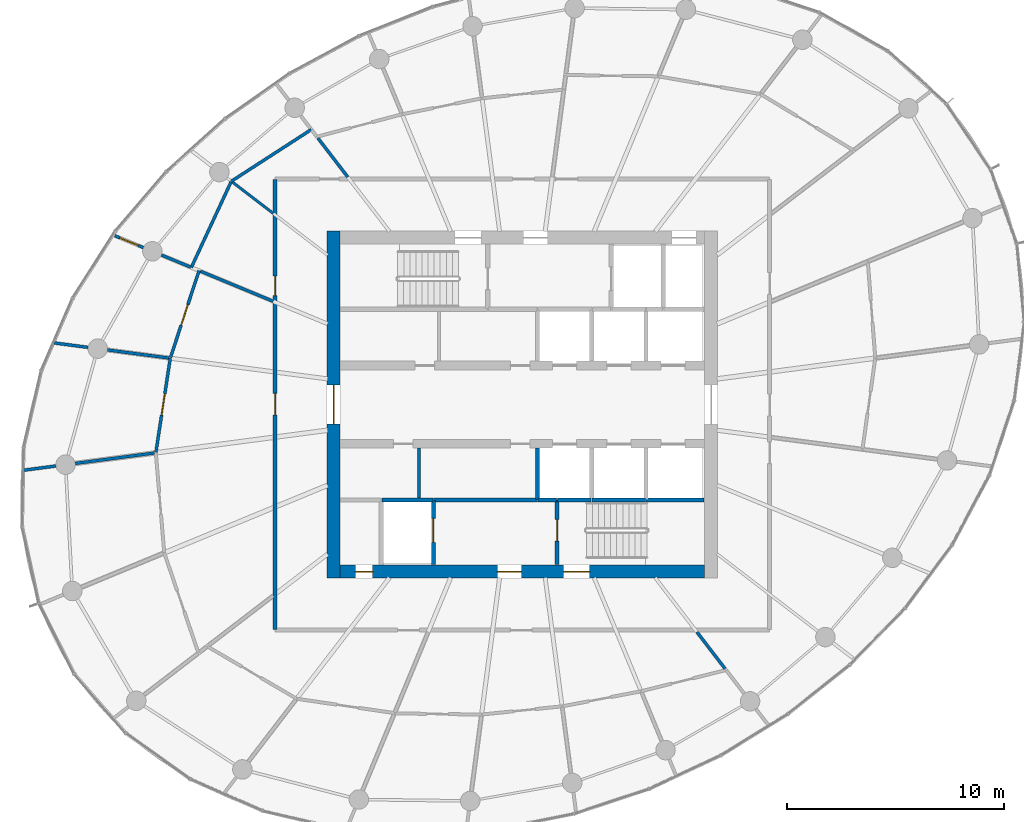
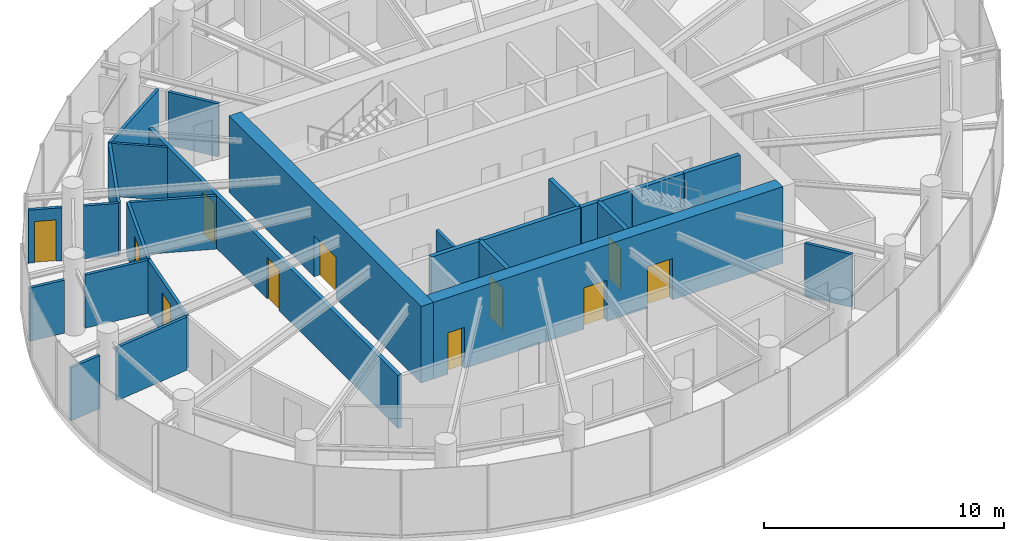
# One storey, part 9 of 14: 27 walls, 11 doors, 11 openings.
"""IFC4 building model written with IfcOpenShell, lengths in metres."""

from ifc_helpers import new_model, si_unit, direction, frame, frame_2d, origin, place, context, subcontext, project, spatial, rectangle, extrude, source, transform, mapped, material, layer, layer_set, type_object, element, fill, save


model = new_model("IFC4")

# Units and contexts
model_context = context("Model", 3, precision=1e-05, world=origin(), true_north=direction((0.0, 1.0)))
body_context = subcontext(model_context, "Body", "Model", "MODEL_VIEW")
ifc_project = project(units=[si_unit("LENGTHUNIT", "METRE"), si_unit("AREAUNIT", "SQUARE_METRE"), si_unit("VOLUMEUNIT", "CUBIC_METRE"), si_unit("PLANEANGLEUNIT", "RADIAN"), si_unit("MASSUNIT", "GRAM", prefix="KILO")], contexts=[model_context])

# Site, building, storey
site_placement = place(None, origin())
site = spatial("IfcSite", under=ifc_project, at=site_placement, CompositionType="ELEMENT")
building_placement = place(site_placement, origin())
building = spatial("IfcBuilding", under=site, at=building_placement, Name="Spindrift Exchange Tower", CompositionType="ELEMENT")
storey_placement = place(building_placement, frame((0.0, 0.0, 226.699951171875)))
storey = spatial("IfcBuildingStorey", under=building, at=storey_placement, Name="L55", CompositionType="ELEMENT", Elevation=226.699951171875)

# Wall, opening, door
ifc_material_1 = material(Name="Concrete 50 MPa", Category="concrete")
ifc_layer_1 = layer(ifc_material_1, 0.60009765625)
ifc_layer_set_1 = layer_set([ifc_layer_1], Name="RC Core Wall 600 Concrete 50 MPa")
wall_type_1 = type_object("IfcWallType", Name="RC Core Wall 600 Concrete 50 MPa", PredefinedType="SHEAR", material=ifc_layer_set_1)
wall_1_placement = place(storey_placement, frame((43.300048828125, 56.0, 0.0), z_axis=(0.0, 0.0, 1.0), x_axis=(0.0, -1.0, 0.0)))
wall_1 = element("IfcWall", 1, at=wall_1_placement, inside=storey, type_object=wall_type_1, Name="Core wall W L55", PredefinedType="SHEAR", context=body_context, shape_type="SweptSolid", body=[
    extrude(rectangle(XDim=16.0, YDim=0.60009765625, at=frame_2d((8.0, 0.0))), origin(), (0.0, 0.0, 1.0), 3.900146484375),
])
opening_1_placement = place(wall_1_placement, frame((7.10009765625, 0.0, 0.0)))
opening_1 = element("IfcOpeningElement", 2, at=opening_1_placement, cuts=wall_1, Name="Opening L55-D1", PredefinedType="OPENING", context=body_context, shape_type="SweptSolid", body=[
    extrude(rectangle(XDim=1.800048828125, YDim=2.10009765625, at=frame_2d((0.89990234375, 1.050048828125))), frame((0.0, 0.31005859375, 0.0), z_axis=(0.0, -1.0, 0.0), x_axis=(1.0, 0.0, 0.0)), (0.0, 0.0, 1.0), 0.6201171875),
])
ifc_material_2 = material(Name="Timber-core fire door", Category="wood")
door_type_1 = type_object("IfcDoorType", Name="DR-LOBBY-1800", OperationType="NOTDEFINED", PredefinedType="DOOR", material=ifc_material_2)
shared_shape_1 = source(origin(), body_context, "Body", "SweptSolid", [
    extrude(rectangle(XDim=1.800048828125, YDim=2.10009765625, at=frame_2d((0.89990234375, 1.050048828125))), frame((0.0, 0.02490234375, 0.0), z_axis=(0.0, -1.0, 0.0), x_axis=(1.0, 0.0, 0.0)), (0.0, 0.0, 1.0), 0.050048828125),
])
door_1_placement = place(opening_1_placement, origin())
door_1 = element("IfcDoor", 3, at=door_1_placement, inside=storey, type_object=door_type_1, Name="L55 Lobby door 1", OperationType="SINGLE_SWING_RIGHT", OverallHeight=2.10009765625, OverallWidth=1.800048828125, PredefinedType="DOOR", context=body_context, shape_type="MappedRepresentation", body=[
    mapped(shared_shape_1, transform((0.0, 0.0, 0.0), scale=1.0)),
])
fill(opening_1, door_1)

# Wall, openings, doors
wall_2_placement = place(storey_placement, frame((43.60009765625, 40.300048828125, 0.0), z_axis=(0.0, 0.0, 1.0), x_axis=(1.0, 0.0, 0.0)))
wall_2 = element("IfcWall", 4, at=wall_2_placement, inside=storey, type_object=wall_type_1, Name="Core wall S L55", PredefinedType="SHEAR", context=body_context, shape_type="SweptSolid", body=[
    extrude(rectangle(XDim=16.7998046875, YDim=0.60009765625, at=frame_2d((8.39990234375, 0.0))), origin(), (0.0, 0.0, 1.0), 3.900146484375),
])
opening_2_placement = place(wall_2_placement, frame((10.300048828125, 0.0, 0.0)))
opening_2 = element("IfcOpeningElement", 5, at=opening_2_placement, cuts=wall_2, Name="Opening L55-D15", PredefinedType="OPENING", context=body_context, shape_type="SweptSolid", body=[
    extrude(rectangle(XDim=1.199951171875, YDim=2.10009765625, at=frame_2d((0.60009765625, 1.050048828125))), frame((0.0, 0.31005859375, 0.0), z_axis=(0.0, -1.0, 0.0), x_axis=(1.0, 0.0, 0.0)), (0.0, 0.0, 1.0), 0.6201171875),
])
opening_3_placement = place(wall_2_placement, frame((7.25, 0.0, 0.0)))
opening_3 = element("IfcOpeningElement", 6, at=opening_3_placement, cuts=wall_2, Name="Opening L55-D17", PredefinedType="OPENING", context=body_context, shape_type="SweptSolid", body=[
    extrude(rectangle(XDim=1.10009765625, YDim=2.10009765625, at=frame_2d((0.550048828125, 1.050048828125))), frame((0.0, 0.31005859375, 0.0), z_axis=(0.0, -1.0, 0.0), x_axis=(1.0, 0.0, 0.0)), (0.0, 0.0, 1.0), 0.6201171875),
])
opening_4_placement = place(wall_2_placement, frame((0.699951171875, 0.0, 0.0)))
opening_4 = element("IfcOpeningElement", 7, at=opening_4_placement, cuts=wall_2, Name="Opening L55-D18", PredefinedType="OPENING", context=body_context, shape_type="SweptSolid", body=[
    extrude(rectangle(XDim=0.800048828125, YDim=2.10009765625, at=frame_2d((0.39990234375, 1.050048828125))), frame((0.0, 0.31005859375, 0.0), z_axis=(0.0, -1.0, 0.0), x_axis=(1.0, 0.0, 0.0)), (0.0, 0.0, 1.0), 0.6201171875),
])
ifc_material_3 = material(Name="Steel fire door", Category="steel")
door_type_2 = type_object("IfcDoorType", Name="DR-STAIR-1200", OperationType="NOTDEFINED", PredefinedType="DOOR", material=ifc_material_3)
shared_shape_2 = source(origin(), body_context, "Body", "SweptSolid", [
    extrude(rectangle(XDim=1.199951171875, YDim=2.10009765625, at=frame_2d((0.60009765625, 1.050048828125))), frame((0.0, 0.02490234375, 0.0), z_axis=(0.0, -1.0, 0.0), x_axis=(1.0, 0.0, 0.0)), (0.0, 0.0, 1.0), 0.050048828125),
])
door_2_placement = place(opening_2_placement, origin())
door_2 = element("IfcDoor", 8, at=door_2_placement, inside=storey, type_object=door_type_2, Name="L55 Stair door 15", OperationType="SINGLE_SWING_LEFT", OverallHeight=2.10009765625, OverallWidth=1.199951171875, PredefinedType="DOOR", context=body_context, shape_type="MappedRepresentation", body=[
    mapped(shared_shape_2, transform((0.0, 0.0, 0.0), scale=1.0)),
])
fill(opening_2, door_2)
door_type_3 = type_object("IfcDoorType", Name="DR-LOBBY-1100", OperationType="NOTDEFINED", PredefinedType="DOOR", material=ifc_material_2)
shared_shape_3 = source(origin(), body_context, "Body", "SweptSolid", [
    extrude(rectangle(XDim=1.10009765625, YDim=2.10009765625, at=frame_2d((0.550048828125, 1.050048828125))), frame((0.0, 0.02490234375, 0.0), z_axis=(0.0, -1.0, 0.0), x_axis=(1.0, 0.0, 0.0)), (0.0, 0.0, 1.0), 0.050048828125),
])
door_3_placement = place(opening_3_placement, origin())
door_3 = element("IfcDoor", 9, at=door_3_placement, inside=storey, type_object=door_type_3, Name="L55 Lobby door 17", OperationType="SINGLE_SWING_LEFT", OverallHeight=2.10009765625, OverallWidth=1.10009765625, PredefinedType="DOOR", context=body_context, shape_type="MappedRepresentation", body=[
    mapped(shared_shape_3, transform((0.0, 0.0, 0.0), scale=1.0)),
])
fill(opening_3, door_3)
ifc_material_4 = material(Name="Steel access door", Category="steel")
door_type_4 = type_object("IfcDoorType", Name="DR-RISER-800", OperationType="NOTDEFINED", PredefinedType="DOOR", material=ifc_material_4)
shared_shape_4 = source(origin(), body_context, "Body", "SweptSolid", [
    extrude(rectangle(XDim=0.800048828125, YDim=2.10009765625, at=frame_2d((0.39990234375, 1.050048828125))), frame((0.0, 0.02490234375, 0.0), z_axis=(0.0, -1.0, 0.0), x_axis=(1.0, 0.0, 0.0)), (0.0, 0.0, 1.0), 0.050048828125),
])
door_4_placement = place(opening_4_placement, origin())
door_4 = element("IfcDoor", 10, at=door_4_placement, inside=storey, type_object=door_type_4, Name="L55 Riser door 18", OperationType="SINGLE_SWING_RIGHT", OverallHeight=2.10009765625, OverallWidth=0.800048828125, PredefinedType="DOOR", context=body_context, shape_type="MappedRepresentation", body=[
    mapped(shared_shape_4, transform((0.0, 0.0, 0.0), scale=1.0)),
])
fill(opening_4, door_4)

ifc_material_5 = material(Name="Fire-rated plasterboard partition", Category="gypsum")
ifc_layer_2 = layer(ifc_material_5, 0.179931640625)
ifc_layer_set_2 = layer_set([ifc_layer_2], Name="W-CORR-180")
wall_type_2 = type_object("IfcWallType", Name="W-CORR-180", PredefinedType="PARTITIONING", material=ifc_layer_set_2)
wall_3_placement = place(storey_placement, frame((40.60009765625, 37.6298828125, 0.0), z_axis=(0.0, 0.0, 1.0), x_axis=(0.0, 1.0, 0.0)))
wall_3 = element("IfcWall", 11, at=wall_3_placement, inside=storey, type_object=wall_type_2, Name="L55 Partition wall 30", PredefinedType="PARTITIONING", context=body_context, shape_type="SweptSolid", body=[
    extrude(rectangle(XDim=20.740234375, YDim=0.179931640625, at=frame_2d((10.3701171875, 0.0))), origin(), (0.0, 0.0, 1.0), 2.699951171875),
])
opening_5_placement = place(wall_3_placement, frame((15.389892578125, 0.0, 0.0)))
opening_5 = element("IfcOpeningElement", 12, at=opening_5_placement, cuts=wall_3, Name="Opening L55-D20", PredefinedType="OPENING", context=body_context, shape_type="SweptSolid", body=[
    extrude(rectangle(XDim=0.89990234375, YDim=2.10009765625, at=frame_2d((0.449951171875, 1.050048828125))), frame((0.0, 0.099853515625, 0.0), z_axis=(0.0, -1.0, 0.0), x_axis=(1.0, 0.0, 0.0)), (0.0, 0.0, 1.0), 0.199951171875),
])
opening_6_placement = place(wall_3_placement, frame((9.889892578125, 0.0, 0.0)))
opening_6 = element("IfcOpeningElement", 13, at=opening_6_placement, cuts=wall_3, Name="Opening L55-D21", PredefinedType="OPENING", context=body_context, shape_type="SweptSolid", body=[
    extrude(rectangle(XDim=1.0, YDim=2.10009765625, at=frame_2d((0.5, 1.050048828125))), frame((0.0, 0.099853515625, 0.0), z_axis=(0.0, -1.0, 0.0), x_axis=(1.0, 0.0, 0.0)), (0.0, 0.0, 1.0), 0.199951171875),
])
door_type_5 = type_object("IfcDoorType", Name="DR-ROOM-1000", OperationType="NOTDEFINED", PredefinedType="DOOR", material=ifc_material_2)
shared_shape_5 = source(origin(), body_context, "Body", "SweptSolid", [
    extrude(rectangle(XDim=1.0, YDim=2.10009765625, at=frame_2d((0.5, 1.050048828125))), frame((0.0, 0.02490234375, 0.0), z_axis=(0.0, -1.0, 0.0), x_axis=(1.0, 0.0, 0.0)), (0.0, 0.0, 1.0), 0.050048828125),
])
door_5_placement = place(opening_6_placement, origin())
door_5 = element("IfcDoor", 14, at=door_5_placement, inside=storey, type_object=door_type_5, Name="L55 Door 21", OperationType="SINGLE_SWING_LEFT", OverallHeight=2.10009765625, OverallWidth=1.0, PredefinedType="DOOR", context=body_context, shape_type="MappedRepresentation", body=[
    mapped(shared_shape_5, transform((0.0, 0.0, 0.0), scale=1.0)),
])
fill(opening_6, door_5)
ifc_material_6 = material(Name="Laminate washroom door", Category="wood")
door_type_6 = type_object("IfcDoorType", Name="DR-WC-900", OperationType="NOTDEFINED", PredefinedType="DOOR", material=ifc_material_6)
shared_shape_6 = source(origin(), body_context, "Body", "SweptSolid", [
    extrude(rectangle(XDim=0.89990234375, YDim=2.10009765625, at=frame_2d((0.449951171875, 1.050048828125))), frame((0.0, 0.02490234375, 0.0), z_axis=(0.0, -1.0, 0.0), x_axis=(1.0, 0.0, 0.0)), (0.0, 0.0, 1.0), 0.050048828125),
])
door_6_placement = place(opening_5_placement, origin())
door_6 = element("IfcDoor", 15, at=door_6_placement, inside=storey, type_object=door_type_6, Name="L55 WC door 20", OperationType="SINGLE_SWING_RIGHT", OverallHeight=2.10009765625, OverallWidth=0.89990234375, PredefinedType="DOOR", context=body_context, shape_type="MappedRepresentation", body=[
    mapped(shared_shape_6, transform((0.0, 0.0, 0.0), scale=1.0)),
])
fill(opening_5, door_6)

# Wall, opening, door
ifc_layer_3 = layer(ifc_material_5, 0.139892578125)
ifc_layer_set_3 = layer_set([ifc_layer_3], Name="W-PART-140")
wall_type_3 = type_object("IfcWallType", Name="W-PART-140", PredefinedType="PARTITIONING", material=ifc_layer_set_3)
wall_4_placement = place(storey_placement, frame((35.10400390625, 45.8046875, 0.0), z_axis=(0.0, 0.0, 1.0), x_axis=(0.150788763126, 0.988566006352, 0.0)))
wall_4 = element("IfcWall", 16, at=wall_4_placement, inside=storey, type_object=wall_type_3, Name="L55 Partition wall 41", PredefinedType="PARTITIONING", context=body_context, shape_type="SweptSolid", body=[
    extrude(rectangle(XDim=4.3828125, YDim=0.139892578125, at=frame_2d((2.19140625, 0.0))), origin(), (0.0, 0.0, 1.0), 2.699951171875),
])
opening_7_placement = place(wall_4_placement, frame((1.73291015625, 0.0, 0.0)))
opening_7 = element("IfcOpeningElement", 17, at=opening_7_placement, cuts=wall_4, Name="Opening L55-D23", PredefinedType="OPENING", context=body_context, shape_type="SweptSolid", body=[
    extrude(rectangle(XDim=1.0, YDim=2.10009765625, at=frame_2d((0.5, 1.050048828125))), frame((0.0, 0.079833984375, 0.0), z_axis=(0.0, -1.0, 0.0), x_axis=(1.0, 0.0, 0.0)), (0.0, 0.0, 1.0), 0.159912109375),
])
door_7_placement = place(opening_7_placement, origin())
door_7 = element("IfcDoor", 18, at=door_7_placement, inside=storey, type_object=door_type_5, Name="L55 Door 23", OperationType="SINGLE_SWING_LEFT", OverallHeight=2.10009765625, OverallWidth=1.0, PredefinedType="DOOR", context=body_context, shape_type="MappedRepresentation", body=[
    mapped(shared_shape_5, transform((0.0, 0.0, 0.0), scale=1.0)),
])
fill(opening_7, door_7)

# Walls
wall_5_placement = place(storey_placement, frame((42.27001953125, 60.680419921875, 0.0), z_axis=(0.0, 0.0, 1.0), x_axis=(-0.839801255045, -0.542893960202, 0.0)))
element("IfcWall", 19, at=wall_5_placement, inside=storey, type_object=wall_type_3, Name="L55 Partition wall 42", PredefinedType="PARTITIONING", context=body_context, shape_type="SweptSolid", body=[
    extrude(rectangle(XDim=4.391845703125, YDim=0.139892578125, at=frame_2d((2.19580078125, 0.0))), origin(), (0.0, 0.0, 1.0), 2.699951171875),
])
wall_6_placement = place(storey_placement, frame((38.569091796875, 58.26904296875, 0.0), z_axis=(0.0, 0.0, 1.0), x_axis=(-0.421127790684, -0.907001314174, 0.0)))
element("IfcWall", 20, at=wall_6_placement, inside=storey, type_object=wall_type_3, Name="L55 Partition wall 43", PredefinedType="PARTITIONING", context=body_context, shape_type="SweptSolid", body=[
    extrude(rectangle(XDim=4.3515625, YDim=0.139892578125, at=frame_2d((2.17578125, 0.0))), origin(), (0.0, 0.0, 1.0), 2.699951171875),
])

# Wall, opening, door
wall_7_placement = place(storey_placement, frame((35.7744140625, 50.165771484375, 0.0), z_axis=(0.0, 0.0, 1.0), x_axis=(0.312511306012, 0.949914040119, 0.0)))
wall_7 = element("IfcWall", 21, at=wall_7_placement, inside=storey, type_object=wall_type_3, Name="L55 Partition wall 47", PredefinedType="PARTITIONING", context=body_context, shape_type="SweptSolid", body=[
    extrude(rectangle(XDim=4.22021484375, YDim=0.139892578125, at=frame_2d((2.110107421875, 0.0))), origin(), (0.0, 0.0, 1.0), 2.699951171875),
])
opening_8_placement = place(wall_7_placement, frame((1.570068359375, 0.0, 0.0)))
opening_8 = element("IfcOpeningElement", 22, at=opening_8_placement, cuts=wall_7, Name="Opening L55-D22", PredefinedType="OPENING", context=body_context, shape_type="SweptSolid", body=[
    extrude(rectangle(XDim=1.0, YDim=2.10009765625, at=frame_2d((0.5, 1.050048828125))), frame((0.0, 0.079833984375, 0.0), z_axis=(0.0, -1.0, 0.0), x_axis=(1.0, 0.0, 0.0)), (0.0, 0.0, 1.0), 0.159912109375),
])
door_8_placement = place(opening_8_placement, origin())
door_8 = element("IfcDoor", 23, at=door_8_placement, inside=storey, type_object=door_type_5, Name="L55 Door 22", OperationType="SINGLE_SWING_RIGHT", OverallHeight=2.10009765625, OverallWidth=1.0, PredefinedType="DOOR", context=body_context, shape_type="MappedRepresentation", body=[
    mapped(shared_shape_5, transform((0.0, 0.0, 0.0), scale=1.0)),
])
fill(opening_8, door_8)

# Walls
wall_8_placement = place(storey_placement, frame((40.510009765625, 52.75927734375, 0.0), z_axis=(0.0, 0.0, 1.0), x_axis=(-0.923873298868, 0.382698481365, 0.0)))
element("IfcWall", 24, at=wall_8_placement, inside=storey, type_object=wall_type_3, Name="L55 Partition wall 57", PredefinedType="PARTITIONING", context=body_context, shape_type="SweptSolid", body=[
    extrude(rectangle(XDim=3.6279296875, YDim=0.139892578125, at=frame_2d((1.81396484375, 0.0))), origin(), (0.0, 0.0, 1.0), 2.699951171875),
])
wall_9_placement = place(storey_placement, frame((35.030029296875, 45.765869140625, 0.0), z_axis=(0.0, 0.0, 1.0), x_axis=(-0.991443659817, -0.130535318622, 0.0)))
element("IfcWall", 25, at=wall_9_placement, inside=storey, type_object=wall_type_3, Name="L55 Partition wall 60", PredefinedType="PARTITIONING", context=body_context, shape_type="SweptSolid", body=[
    extrude(rectangle(XDim=3.67333984375, YDim=0.139892578125, at=frame_2d((1.836669921875, 0.0))), origin(), (0.0, 0.0, 1.0), 2.699951171875),
])
wall_10_placement = place(storey_placement, frame((35.695556640625, 50.146484375, 0.0), z_axis=(0.0, 0.0, 1.0), x_axis=(-0.991443505247, 0.130536492613, 0.0)))
element("IfcWall", 26, at=wall_10_placement, inside=storey, type_object=wall_type_3, Name="L55 Partition wall 68", PredefinedType="PARTITIONING", context=body_context, shape_type="SweptSolid", body=[
    extrude(rectangle(XDim=2.850341796875, YDim=0.139892578125, at=frame_2d((1.42529296875, 0.0))), origin(), (0.0, 0.0, 1.0), 2.699951171875),
])
wall_11_placement = place(storey_placement, frame((43.95068359375, 58.489990234375, 0.0), z_axis=(0.0, 0.0, 1.0), x_axis=(-0.608700561504, 0.793400041861, 0.0)))
element("IfcWall", 27, at=wall_11_placement, inside=storey, type_object=wall_type_3, Name="L55 Partition wall 75", PredefinedType="PARTITIONING", context=body_context, shape_type="SweptSolid", body=[
    extrude(rectangle(XDim=2.266845703125, YDim=0.139892578125, at=frame_2d((1.13330078125, 0.0))), origin(), (0.0, 0.0, 1.0), 2.699951171875),
])
wall_12_placement = place(storey_placement, frame((47.239990234375, 43.699951171875, 0.0), z_axis=(0.0, 0.0, 1.0), x_axis=(0.0, 1.0, 0.0)))
element("IfcWall", 28, at=wall_12_placement, inside=storey, type_object=wall_type_3, Name="L55 Partition wall 76", PredefinedType="PARTITIONING", context=body_context, shape_type="SweptSolid", body=[
    extrude(rectangle(XDim=2.2900390625, YDim=0.139892578125, at=frame_2d((1.14501953125, 0.0))), origin(), (0.0, 0.0, 1.0), 2.699951171875),
])
wall_13_placement = place(storey_placement, frame((60.04931640625, 37.510009765625, 0.0), z_axis=(0.0, 0.0, 1.0), x_axis=(0.608713079652, -0.793390437717, 0.0)))
element("IfcWall", 29, at=wall_13_placement, inside=storey, type_object=wall_type_3, Name="L55 Partition wall 78", PredefinedType="PARTITIONING", context=body_context, shape_type="SweptSolid", body=[
    extrude(rectangle(XDim=2.129638671875, YDim=0.139892578125, at=frame_2d((1.06494140625, 0.0))), origin(), (0.0, 0.0, 1.0), 2.699951171875),
])
wall_14_placement = place(storey_placement, frame((31.968505859375, 50.63720703125, 0.0), z_axis=(0.0, 0.0, 1.0), x_axis=(-0.991431072845, 0.130630883778, 0.0)))
element("IfcWall", 30, at=wall_14_placement, inside=storey, type_object=wall_type_3, Name="L55 Partition wall 81", PredefinedType="PARTITIONING", context=body_context, shape_type="SweptSolid", body=[
    extrude(rectangle(XDim=1.575439453125, YDim=0.139892578125, at=frame_2d((0.78759765625, 0.0))), origin(), (0.0, 0.0, 1.0), 2.699951171875),
])
wall_15_placement = place(storey_placement, frame((30.487060546875, 45.167724609375, 0.0), z_axis=(0.0, 0.0, 1.0), x_axis=(-0.991448742538, -0.130496708462, 0.0)))
element("IfcWall", 31, at=wall_15_placement, inside=storey, type_object=wall_type_3, Name="L55 Partition wall 83", PredefinedType="PARTITIONING", context=body_context, shape_type="SweptSolid", body=[
    extrude(rectangle(XDim=1.49658203125, YDim=0.139892578125, at=frame_2d((0.748291015625, 0.0))), origin(), (0.0, 0.0, 1.0), 2.699951171875),
])
wall_16_placement = place(storey_placement, frame((36.708984375, 54.333740234375, 0.0), z_axis=(0.0, 0.0, 1.0), x_axis=(-0.923872023258, 0.382701560803, 0.0)))
element("IfcWall", 32, at=wall_16_placement, inside=storey, type_object=wall_type_3, Name="L55 Partition wall 84", PredefinedType="PARTITIONING", context=body_context, shape_type="SweptSolid", body=[
    extrude(rectangle(XDim=1.458984375, YDim=0.139892578125, at=frame_2d((0.7294921875, 0.0))), origin(), (0.0, 0.0, 1.0), 2.699951171875),
])

# Wall, opening, door
wall_17_placement = place(storey_placement, frame((33.206787109375, 55.784423828125, 0.0), z_axis=(0.0, 0.0, 1.0), x_axis=(0.923908003556, -0.382614689949, 0.0)))
wall_17 = element("IfcWall", 33, at=wall_17_placement, inside=storey, type_object=wall_type_3, Name="L55 Partition wall 85", PredefinedType="PARTITIONING", context=body_context, shape_type="SweptSolid", body=[
    extrude(rectangle(XDim=1.421630859375, YDim=0.139892578125, at=frame_2d((0.7109375, 0.0))), origin(), (0.0, 0.0, 1.0), 2.699951171875),
])
opening_9_placement = place(wall_17_placement, frame((0.271728515625, 0.0, 0.0)))
opening_9 = element("IfcOpeningElement", 34, at=opening_9_placement, cuts=wall_17, Name="Opening L55-D51", PredefinedType="OPENING", context=body_context, shape_type="SweptSolid", body=[
    extrude(rectangle(XDim=0.89990234375, YDim=2.10009765625, at=frame_2d((0.449951171875, 1.050048828125))), frame((0.0, 0.079833984375, 0.0), z_axis=(0.0, -1.0, 0.0), x_axis=(1.0, 0.0, 0.0)), (0.0, 0.0, 1.0), 0.159912109375),
])
door_type_7 = type_object("IfcDoorType", Name="DR-ROOM-900", OperationType="NOTDEFINED", PredefinedType="DOOR", material=ifc_material_2)
shared_shape_7 = source(origin(), body_context, "Body", "SweptSolid", [
    extrude(rectangle(XDim=0.89990234375, YDim=2.10009765625, at=frame_2d((0.449951171875, 1.050048828125))), frame((0.0, 0.02490234375, 0.0), z_axis=(0.0, -1.0, 0.0), x_axis=(1.0, 0.0, 0.0)), (0.0, 0.0, 1.0), 0.050048828125),
])
door_9_placement = place(opening_9_placement, origin())
door_9 = element("IfcDoor", 35, at=door_9_placement, inside=storey, type_object=door_type_7, Name="L55 Door 51", OperationType="SINGLE_SWING_LEFT", OverallHeight=2.10009765625, OverallWidth=0.89990234375, PredefinedType="DOOR", context=body_context, shape_type="MappedRepresentation", body=[
    mapped(shared_shape_7, transform((0.0, 0.0, 0.0), scale=1.0)),
])
fill(opening_9, door_9)

# Wall
ifc_material_7 = material(Name="Concrete 40 MPa", Category="concrete")
ifc_layer_4 = layer(ifc_material_7, 0.199951171875)
ifc_layer_set_4 = layer_set([ifc_layer_4], Name="W-SHAFT-200")
wall_type_4 = type_object("IfcWallType", Name="W-SHAFT-200", PredefinedType="SOLIDWALL", material=ifc_layer_set_4)
wall_18_placement = place(storey_placement, frame((52.699951171875, 43.60009765625, 0.0), z_axis=(0.0, 0.0, 1.0), x_axis=(-1.0, 0.0, 0.0)))
element("IfcWall", 36, at=wall_18_placement, inside=storey, type_object=wall_type_4, Name="L55 Shaft wall 2", PredefinedType="SOLIDWALL", context=body_context, shape_type="SweptSolid", body=[
    extrude(rectangle(XDim=4.800048828125, YDim=0.199951171875, at=frame_2d((2.39990234375, 0.0))), origin(), (0.0, 0.0, 1.0), 3.400146484375),
])

# Wall, opening, door
wall_19_placement = place(storey_placement, frame((47.89990234375, 40.6201171875, 0.0), z_axis=(0.0, 0.0, 1.0), x_axis=(0.0, 1.0, 0.0)))
wall_19 = element("IfcWall", 37, at=wall_19_placement, inside=storey, type_object=wall_type_4, Name="L55 Shaft wall 4", PredefinedType="SOLIDWALL", context=body_context, shape_type="SweptSolid", body=[
    extrude(rectangle(XDim=2.949951171875, YDim=0.199951171875, at=frame_2d((1.47509765625, 0.0))), origin(), (0.0, 0.0, 1.0), 3.400146484375),
])
opening_10_placement = place(wall_19_placement, frame((1.030029296875, 0.0, 0.0)))
opening_10 = element("IfcOpeningElement", 38, at=opening_10_placement, cuts=wall_19, Name="Opening L55-D10", PredefinedType="OPENING", context=body_context, shape_type="SweptSolid", body=[
    extrude(rectangle(XDim=1.10009765625, YDim=2.10009765625, at=frame_2d((0.550048828125, 1.050048828125))), frame((0.0, 0.10986328125, 0.0), z_axis=(0.0, -1.0, 0.0), x_axis=(1.0, 0.0, 0.0)), (0.0, 0.0, 1.0), 0.219970703125),
])
ifc_material_8 = material(Name="Stainless steel landing door", Category="steel")
door_type_8 = type_object("IfcDoorType", Name="DR-LANDING-1100-SL", OperationType="DOUBLE_DOOR_SLIDING", PredefinedType="USERDEFINED", material=ifc_material_8)
shared_shape_8 = source(origin(), body_context, "Body", "SweptSolid", [
    extrude(rectangle(XDim=1.10009765625, YDim=2.10009765625, at=frame_2d((0.550048828125, 1.050048828125))), frame((0.0, 0.02490234375, 0.0), z_axis=(0.0, -1.0, 0.0), x_axis=(1.0, 0.0, 0.0)), (0.0, 0.0, 1.0), 0.050048828125),
])
door_10_placement = place(opening_10_placement, origin())
door_10 = element("IfcDoor", 39, at=door_10_placement, inside=storey, type_object=door_type_8, Name="L55 Lift landing door 10", ObjectType="LANDING DOOR", OperationType="DOUBLE_DOOR_SLIDING", OverallHeight=2.10009765625, OverallWidth=1.10009765625, PredefinedType="USERDEFINED", context=body_context, shape_type="MappedRepresentation", body=[
    mapped(shared_shape_8, transform((0.0, 0.0, 0.0), scale=1.0)),
])
fill(opening_10, door_10)

# Walls
wall_20_placement = place(storey_placement, frame((47.8701171875, 43.60009765625, 0.0), z_axis=(0.0, 0.0, 1.0), x_axis=(-1.0, 0.0, 0.0)))
element("IfcWall", 40, at=wall_20_placement, inside=storey, type_object=wall_type_4, Name="L55 Shaft wall 12", PredefinedType="SOLIDWALL", context=body_context, shape_type="SweptSolid", body=[
    extrude(rectangle(XDim=2.340087890625, YDim=0.199951171875, at=frame_2d((1.169921875, 0.0))), origin(), (0.0, 0.0, 1.0), 3.400146484375),
])
wall_21_placement = place(storey_placement, frame((52.699951171875, 45.989990234375, 0.0), z_axis=(0.0, 0.0, 1.0), x_axis=(0.0, -1.0, 0.0)))
element("IfcWall", 41, at=wall_21_placement, inside=storey, type_object=wall_type_4, Name="L55 Shaft wall 13", PredefinedType="SOLIDWALL", context=body_context, shape_type="SweptSolid", body=[
    extrude(rectangle(XDim=2.360107421875, YDim=0.199951171875, at=frame_2d((1.18017578125, 0.0))), origin(), (0.0, 0.0, 1.0), 3.400146484375),
])

# Wall, opening, door
ifc_layer_5 = layer(ifc_material_7, 0.199951171875)
ifc_layer_set_5 = layer_set([ifc_layer_5], Name="W-SHAFT-200-LB")
wall_type_5 = type_object("IfcWallType", Name="W-SHAFT-200-LB", PredefinedType="SOLIDWALL", material=ifc_layer_set_5)
wall_22_placement = place(storey_placement, frame((53.60009765625, 43.60009765625, 0.0), z_axis=(0.0, 0.0, 1.0), x_axis=(0.0, -1.0, 0.0)))
wall_22 = element("IfcWall", 42, at=wall_22_placement, inside=storey, type_object=wall_type_5, Name="L55 Shaft wall 6", PredefinedType="SOLIDWALL", context=body_context, shape_type="SweptSolid", body=[
    extrude(rectangle(XDim=2.97998046875, YDim=0.199951171875, at=frame_2d((1.489990234375, 0.0))), origin(), (0.0, 0.0, 1.0), 3.400146484375),
])
opening_11_placement = place(wall_22_placement, frame((0.89990234375, 0.0, 0.0)))
opening_11 = element("IfcOpeningElement", 43, at=opening_11_placement, cuts=wall_22, Name="Opening L55-D16", PredefinedType="OPENING", context=body_context, shape_type="SweptSolid", body=[
    extrude(rectangle(XDim=1.0, YDim=2.10009765625, at=frame_2d((0.5, 1.050048828125))), frame((0.0, 0.10986328125, 0.0), z_axis=(0.0, -1.0, 0.0), x_axis=(1.0, 0.0, 0.0)), (0.0, 0.0, 1.0), 0.219970703125),
])
door_type_9 = type_object("IfcDoorType", Name="DR-STAIR-1000", OperationType="NOTDEFINED", PredefinedType="DOOR", material=ifc_material_3)
shared_shape_9 = source(origin(), body_context, "Body", "SweptSolid", [
    extrude(rectangle(XDim=1.0, YDim=2.10009765625, at=frame_2d((0.5, 1.050048828125))), frame((0.0, 0.02490234375, 0.0), z_axis=(0.0, -1.0, 0.0), x_axis=(1.0, 0.0, 0.0)), (0.0, 0.0, 1.0), 0.050048828125),
])
door_11_placement = place(opening_11_placement, origin())
door_11 = element("IfcDoor", 44, at=door_11_placement, inside=storey, type_object=door_type_9, Name="L55 Stair door 16", OperationType="SINGLE_SWING_RIGHT", OverallHeight=2.10009765625, OverallWidth=1.0, PredefinedType="DOOR", context=body_context, shape_type="MappedRepresentation", body=[
    mapped(shared_shape_9, transform((0.0, 0.0, 0.0), scale=1.0)),
])
fill(opening_11, door_11)

# Walls
wall_23_placement = place(storey_placement, frame((57.699951171875, 43.60009765625, 0.0), z_axis=(0.0, 0.0, 1.0), x_axis=(1.0, 0.0, 0.0)))
element("IfcWall", 45, at=wall_23_placement, inside=storey, type_object=wall_type_5, Name="L55 Shaft wall 9", PredefinedType="SOLIDWALL", context=body_context, shape_type="SweptSolid", body=[
    extrude(rectangle(XDim=2.679931640625, YDim=0.199951171875, at=frame_2d((1.33984375, 0.0))), origin(), (0.0, 0.0, 1.0), 3.400146484375),
])
wall_24_placement = place(storey_placement, frame((55.199951171875, 43.60009765625, 0.0), z_axis=(0.0, 0.0, 1.0), x_axis=(1.0, 0.0, 0.0)))
element("IfcWall", 46, at=wall_24_placement, inside=storey, type_object=wall_type_5, Name="L55 Shaft wall 11", PredefinedType="SOLIDWALL", context=body_context, shape_type="SweptSolid", body=[
    extrude(rectangle(XDim=2.469970703125, YDim=0.199951171875, at=frame_2d((1.23486328125, 0.0))), origin(), (0.0, 0.0, 1.0), 3.400146484375),
])
wall_25_placement = place(storey_placement, frame((53.6298828125, 43.60009765625, 0.0), z_axis=(0.0, 0.0, 1.0), x_axis=(1.0, 0.0, 0.0)))
element("IfcWall", 47, at=wall_25_placement, inside=storey, type_object=wall_type_5, Name="L55 Shaft wall 22", PredefinedType="SOLIDWALL", context=body_context, shape_type="SweptSolid", body=[
    extrude(rectangle(XDim=1.5400390625, YDim=0.199951171875, at=frame_2d((0.77001953125, 0.0))), origin(), (0.0, 0.0, 1.0), 3.400146484375),
])
wall_26_placement = place(storey_placement, frame((52.72998046875, 43.60009765625, 0.0), z_axis=(0.0, 0.0, 1.0), x_axis=(1.0, 0.0, 0.0)))
element("IfcWall", 48, at=wall_26_placement, inside=storey, type_object=wall_type_5, Name="L55 Shaft wall 24", PredefinedType="SOLIDWALL", context=body_context, shape_type="SweptSolid", body=[
    extrude(rectangle(XDim=0.840087890625, YDim=0.199951171875, at=frame_2d((0.419921875, 0.0))), origin(), (0.0, 0.0, 1.0), 3.400146484375),
])
ifc_layer_6 = layer(ifc_material_5, 0.1201171875)
ifc_layer_set_6 = layer_set([ifc_layer_6], Name="W-WET-120")
wall_type_6 = type_object("IfcWallType", Name="W-WET-120", PredefinedType="PARTITIONING", material=ifc_layer_set_6)
wall_27_placement = place(storey_placement, frame((40.510009765625, 56.816650390625, 0.0), z_axis=(0.0, 0.0, 1.0), x_axis=(-0.793374494853, 0.608733858856, 0.0)))
element("IfcWall", 49, at=wall_27_placement, inside=storey, type_object=wall_type_6, Name="L55 Partition wall 107", PredefinedType="PARTITIONING", context=body_context, shape_type="SweptSolid", body=[
    extrude(rectangle(XDim=2.356201171875, YDim=0.1201171875, at=frame_2d((1.17822265625, 0.0))), origin(), (0.0, 0.0, 1.0), 2.699951171875),
])

save(model, "model.ifc")
